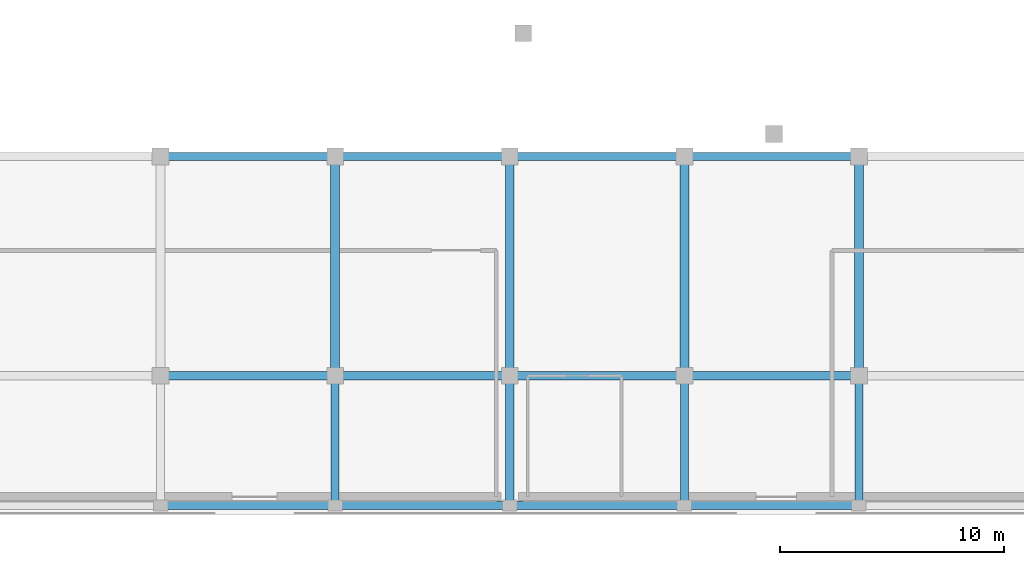
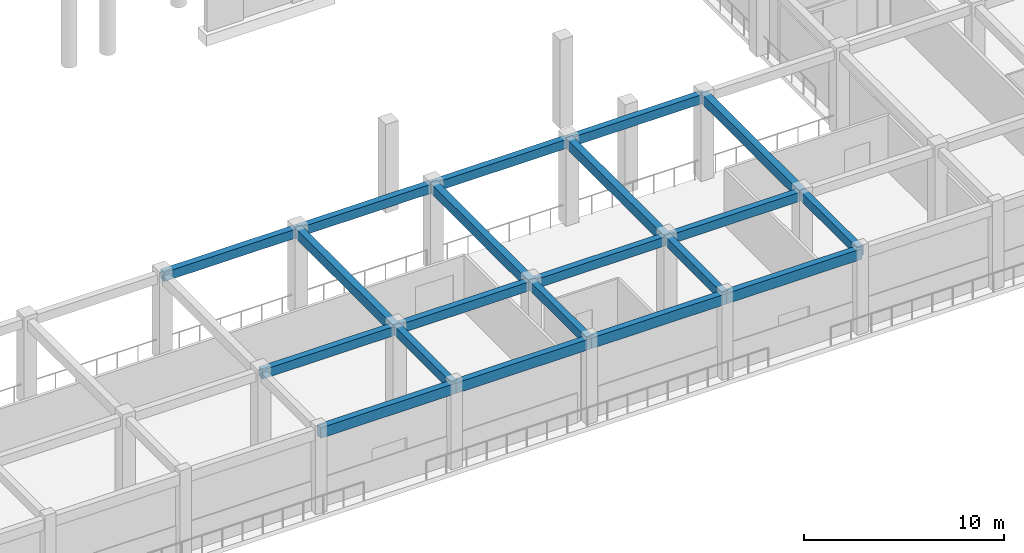
# One storey, part 23 of 96: 20 beams.
"""IFC4 building model written with IfcOpenShell, lengths in metres."""

import ifcopenshell
import ifcopenshell.guid

model = None  # the IFC model being written
_history = None  # IfcOwnerHistory: only IFC2X3 demands one
_inside = {}  # id of a spatial element -> (the spatial element, [elements in it])
_under = {}  # id of a project, library or spatial element -> (it, [spatial elements below it])
_declared = {}  # id of a project -> (the project, [libraries it declares])
_typed = {}  # id of a type object -> (the type object, [elements of that type])
_made_of = {}  # id of a material, layer set ... -> (it, [elements and type objects made of it])


def new_model(schema):
    """Start an empty IFC model of exactly this schema.

    Asked for "IFC4X3", IfcOpenShell would pick the latest addendum, in which some entities
    have other attributes; the version numbers below select the first issue.
    IFC2X3 requires an IfcOwnerHistory on every rooted entity: one is made here for all.
    """
    global model, _history
    if schema == "IFC4X3":
        model = ifcopenshell.file(schema_version=(4, 3, 0, 0))
    else:
        model = ifcopenshell.file(schema=schema)
    _inside.clear()
    _under.clear()
    _declared.clear()
    _typed.clear()
    _made_of.clear()
    _history = None
    if model.schema == "IFC2X3":
        org = make("IfcOrganization", Name="unknown")
        user = make(
            "IfcPersonAndOrganization",
            ThePerson=make("IfcPerson", FamilyName="unknown"),
            TheOrganization=org,
        )
        app = make(
            "IfcApplication",
            ApplicationDeveloper=org,
            Version="unknown",
            ApplicationFullName="unknown",
            ApplicationIdentifier="unknown",
        )
        _history = make(
            "IfcOwnerHistory",
            OwningUser=user,
            OwningApplication=app,
            ChangeAction="ADDED",
            CreationDate=0,
        )
    return model


def make(cls, **values):
    """One entity of the class cls with the attributes given. An attribute that is None is left unset."""
    return model.create_entity(
        cls, **{name: value for name, value in values.items() if value is not None}
    )


def rooted(cls, **values):
    """An entity with a GlobalId (a new one), such as an element, a storey or a relation."""
    return make(cls, GlobalId=ifcopenshell.guid.new(), OwnerHistory=_history, **values)


def si_unit(unit_type, name, prefix=None):
    """IfcSIUnit, for example si_unit("LENGTHUNIT", "METRE", prefix="MILLI")."""
    return make("IfcSIUnit", UnitType=unit_type, Prefix=prefix, Name=name)


def assignment(units):
    """IfcUnitAssignment: the units of a project."""
    return None if units is None else make("IfcUnitAssignment", Units=units)


def point(xyz):
    """IfcCartesianPoint."""
    return None if xyz is None else make("IfcCartesianPoint", Coordinates=xyz)


def direction(xyz):
    """IfcDirection."""
    return None if xyz is None else make("IfcDirection", DirectionRatios=xyz)


def frame(location, z_axis=None, x_axis=None):
    """IfcAxis2Placement3D, a coordinate frame: its origin and axes. An axis left out is left unset."""
    return make(
        "IfcAxis2Placement3D",
        Location=point(location),
        Axis=direction(z_axis),
        RefDirection=direction(x_axis),
    )


def frame_2d(location, x_axis=None):
    """IfcAxis2Placement2D, a coordinate frame in the plane: its origin and x axis."""
    return make(
        "IfcAxis2Placement2D", Location=point(location), RefDirection=direction(x_axis)
    )


def origin():
    """The frame at (0, 0, 0) with its axes left unset."""
    return frame((0.0, 0.0, 0.0))


def origin_2d():
    """The frame at (0, 0) in the plane with its x axis left unset."""
    return frame_2d((0.0, 0.0))


def place(relative_to, where):
    """IfcLocalPlacement: puts the frame where relative to a parent placement (None: the world)."""
    return make(
        "IfcLocalPlacement", PlacementRelTo=relative_to, RelativePlacement=where
    )


def context(
    kind, dimensions, precision=None, world=None, true_north=None, identifier=None
):
    """IfcGeometricRepresentationContext, for example the 3D "Model" context."""
    return make(
        "IfcGeometricRepresentationContext",
        ContextIdentifier=identifier,
        ContextType=kind,
        CoordinateSpaceDimension=dimensions,
        Precision=precision,
        WorldCoordinateSystem=world,
        TrueNorth=true_north,
    )


def subcontext(parent, identifier, kind, view, scale=None):
    """IfcGeometricRepresentationSubContext, for example "Body" below "Model"."""
    return make(
        "IfcGeometricRepresentationSubContext",
        ContextIdentifier=identifier,
        ContextType=kind,
        ParentContext=parent,
        TargetScale=scale,
        TargetView=view,
    )


def project(units=None, contexts=None):
    """IfcProject with its units and contexts."""
    return rooted(
        "IfcProject",
        Name="project",
        RepresentationContexts=contexts,
        UnitsInContext=assignment(units),
    )


def spatial(cls, under=None, at=None, **own):
    """A site, building, storey or space (cls), placed at a placement, below another one or the project."""
    s = rooted(cls, ObjectPlacement=at, **own)
    if under is not None:
        _under.setdefault(under.id(), (under, []))[1].append(s)
    return s


def profile(cls, at=None, kind="AREA", **sizes):
    """A parametric profile (cls). Its sizes go by their IFC names, for example OverallWidth=200.0."""
    return make(cls, ProfileType=kind, Position=at, **sizes)


def rectangle(**sizes):
    """IfcRectangleProfileDef."""
    return profile("IfcRectangleProfileDef", **sizes)


def extrude(swept, where, along, depth):
    """IfcExtrudedAreaSolid: the profile swept, set in the frame where, extruded along a direction by depth."""
    return make(
        "IfcExtrudedAreaSolid",
        SweptArea=swept,
        Position=where,
        ExtrudedDirection=direction(along),
        Depth=depth,
    )


def shape(context_of_items, identifier, shape_type, items):
    """IfcShapeRepresentation: the items that make up one representation, for example the "Body"."""
    return make(
        "IfcShapeRepresentation",
        ContextOfItems=context_of_items,
        RepresentationIdentifier=identifier,
        RepresentationType=shape_type,
        Items=items,
    )


def material(Name=None, Category=None):
    """IfcMaterial."""
    return make("IfcMaterial", Name=Name, Category=Category)


def material_profile(
    of_material, cross_section, Name=None, Category=None, Priority=None
):
    """IfcMaterialProfile: a cross section and its material."""
    return make(
        "IfcMaterialProfile",
        Name=Name,
        Material=of_material,
        Profile=cross_section,
        Priority=Priority,
        Category=Category,
    )


def profile_set(profiles, Name=None, composite=None):
    """IfcMaterialProfileSet."""
    return make(
        "IfcMaterialProfileSet",
        Name=Name,
        MaterialProfiles=profiles,
        CompositeProfile=composite,
    )


def made_of(thing, what):
    """Note that an element or type object is made of a material, layer set ...; save() writes the relation."""
    if what is not None:
        _made_of.setdefault(what.id(), (what, []))[1].append(thing)
    return thing


def type_object(cls, material=None, **own):
    """A type object (cls), such as IfcWallType, which elements share."""
    return made_of(rooted(cls, **own), material)


def element(
    cls,
    number,
    at=None,
    inside=None,
    cuts=None,
    type_object=None,
    material=None,
    context=None,
    identifier="Body",
    shape_type=None,
    held_by="IfcProductDefinitionShape",
    body=None,
    shapes=None,
    **own,
):
    """One element of the class cls, such as IfcWall. Its Tag is "e" and its number.

    at: its placement. inside: the storey or other place that contains it. cuts: it is an
    opening in that element (IfcRelVoidsElement). A single representation is given by context,
    identifier, shape_type and body (its items); several are given by shapes. held_by: the class
    of the entity that holds the representations. save() writes the other relations.
    """
    e = rooted(cls, Tag="e%d" % number, ObjectPlacement=at, **own)
    if body is not None:
        shapes = [shape(context, identifier, shape_type, body)]
    if shapes is not None:
        e.Representation = make(held_by, Representations=shapes)
    if inside is not None:
        _inside.setdefault(inside.id(), (inside, []))[1].append(e)
    if cuts is not None:
        rooted(
            "IfcRelVoidsElement", RelatingBuildingElement=cuts, RelatedOpeningElement=e
        )
    if type_object is not None:
        _typed.setdefault(type_object.id(), (type_object, []))[1].append(e)
    return made_of(e, material)


def aggregate(whole, parts):
    """IfcRelAggregates: a whole, such as a stair, and the parts it consists of."""
    return rooted("IfcRelAggregates", RelatingObject=whole, RelatedObjects=parts)


def save(model, path):
    """Write the relations noted so far, then the file.

    IfcRelAggregates (storeys below a building ...), IfcRelContainedInSpatialStructure (elements
    in a storey), IfcRelDefinesByType, IfcRelAssociatesMaterial and IfcRelDeclares: one each for
    every whole, place, type object, material and project.
    """
    for whole, parts in _under.values():
        aggregate(whole, parts)
    for where, things in _inside.values():
        rooted(
            "IfcRelContainedInSpatialStructure",
            RelatedElements=things,
            RelatingStructure=where,
        )
    for kind, things in _typed.values():
        rooted("IfcRelDefinesByType", RelatedObjects=things, RelatingType=kind)
    for what, things in _made_of.values():
        rooted("IfcRelAssociatesMaterial", RelatedObjects=things, RelatingMaterial=what)
    for by, libraries in _declared.values():
        rooted("IfcRelDeclares", RelatingContext=by, RelatedDefinitions=libraries)
    model.write(path)


model = new_model("IFC4")

# Units and contexts
model_context = context("Model", 3, precision=1e-05, world=origin(), true_north=direction((0.0, 1.0)))
body_context = subcontext(model_context, "Body", "Model", "MODEL_VIEW")
ifc_project = project(units=[si_unit("LENGTHUNIT", "METRE"), si_unit("AREAUNIT", "SQUARE_METRE"), si_unit("VOLUMEUNIT", "CUBIC_METRE"), si_unit("PLANEANGLEUNIT", "RADIAN"), si_unit("MASSUNIT", "GRAM", prefix="KILO")], contexts=[model_context])

# Site, building, storey
site_placement = place(None, origin())
site = spatial("IfcSite", under=ifc_project, at=site_placement, CompositionType="ELEMENT")
building_placement = place(site_placement, origin())
building = spatial("IfcBuilding", under=site, at=building_placement, Name="Pelvatis Terrace Science Centre", CompositionType="ELEMENT")
storey_placement = place(building_placement, origin())
storey = spatial("IfcBuildingStorey", under=building, at=storey_placement, Name="L00", CompositionType="ELEMENT", Elevation=0.0)

# Beams
ifc_material_1 = material(Name="Concrete C35/45", Category="concrete")
ifc_material_profile_1 = material_profile(ifc_material_1, rectangle(XDim=0.360107421875, YDim=0.550048828125, at=origin_2d()), Name="RC-BM 360x550")
ifc_profile_set_1 = profile_set([ifc_material_profile_1], Name="Concrete C35/45")
beam_type_1 = type_object("IfcBeamType", Name="BM-RC-360x550", PredefinedType="BEAM", material=ifc_profile_set_1)
for number, where, z_axis, x_axis, name in (
    (1, (93.60009765625, 6.199951171875, 4.864990234375), (1.0, 0.0, 0.0), (0.0, 1.0, 0.0), "Beam BM-L00-2417"),
    (2, (93.60009765625, 16.0, 4.864990234375), (1.0, 0.0, 0.0), (0.0, 1.0, 0.0), "Beam BM-L00-2418"),
):
    element("IfcBeam", number, at=place(storey_placement, frame(where, z_axis=z_axis, x_axis=x_axis)), inside=storey, type_object=beam_type_1, Name=name, PredefinedType="BEAM", context=body_context, shape_type="SweptSolid", body=[
        extrude(rectangle(XDim=0.360107421875, YDim=0.550048828125, at=origin_2d()), origin(), (0.0, 0.0, 1.0), 7.7998046875),
    ])
beam_1_placement = place(storey_placement, frame((101.39990234375, 0.39990234375, 4.864990234375), z_axis=(0.0, 1.0, 0.0), x_axis=(-1.0, 0.0, 0.0)))
element("IfcBeam", 3, at=beam_1_placement, inside=storey, type_object=beam_type_1, Name="Beam BM-L00-2419", PredefinedType="BEAM", context=body_context, shape_type="SweptSolid", body=[
    extrude(rectangle(XDim=0.360107421875, YDim=0.550048828125, at=origin_2d()), origin(), (0.0, 0.0, 1.0), 5.800048828125),
])
for number, where, z_axis, x_axis, name in (
    (4, (101.39990234375, 6.199951171875, 4.864990234375), (1.0, 0.0, 0.0), (0.0, 1.0, 0.0), "Beam BM-L00-2422"),
    (5, (101.39990234375, 16.0, 4.864990234375), (1.0, 0.0, 0.0), (0.0, 1.0, 0.0), "Beam BM-L00-2423"),
):
    element("IfcBeam", number, at=place(storey_placement, frame(where, z_axis=z_axis, x_axis=x_axis)), inside=storey, type_object=beam_type_1, Name=name, PredefinedType="BEAM", context=body_context, shape_type="SweptSolid", body=[
        extrude(rectangle(XDim=0.360107421875, YDim=0.550048828125, at=origin_2d()), origin(), (0.0, 0.0, 1.0), 7.800048828125),
    ])
beam_2_placement = place(storey_placement, frame((109.199951171875, 0.39990234375, 4.864990234375), z_axis=(0.0, 1.0, 0.0), x_axis=(-1.0, 0.0, 0.0)))
element("IfcBeam", 6, at=beam_2_placement, inside=storey, type_object=beam_type_1, Name="Beam BM-L00-2424", PredefinedType="BEAM", context=body_context, shape_type="SweptSolid", body=[
    extrude(rectangle(XDim=0.360107421875, YDim=0.550048828125, at=origin_2d()), origin(), (0.0, 0.0, 1.0), 5.800048828125),
])
for number, where, z_axis, x_axis, name in (
    (7, (109.199951171875, 6.199951171875, 4.864990234375), (1.0, 0.0, 0.0), (0.0, 1.0, 0.0), "Beam BM-L00-2427"),
    (8, (109.199951171875, 16.0, 4.864990234375), (1.0, 0.0, 0.0), (0.0, 1.0, 0.0), "Beam BM-L00-2428"),
):
    element("IfcBeam", number, at=place(storey_placement, frame(where, z_axis=z_axis, x_axis=x_axis)), inside=storey, type_object=beam_type_1, Name=name, PredefinedType="BEAM", context=body_context, shape_type="SweptSolid", body=[
        extrude(rectangle(XDim=0.360107421875, YDim=0.550048828125, at=origin_2d()), origin(), (0.0, 0.0, 1.0), 7.800048828125),
    ])
beam_3_placement = place(storey_placement, frame((117.0, 0.39990234375, 4.864990234375), z_axis=(0.0, 1.0, 0.0), x_axis=(-1.0, 0.0, 0.0)))
element("IfcBeam", 9, at=beam_3_placement, inside=storey, type_object=beam_type_1, Name="Beam BM-L00-2429", PredefinedType="BEAM", context=body_context, shape_type="SweptSolid", body=[
    extrude(rectangle(XDim=0.360107421875, YDim=0.550048828125, at=origin_2d()), origin(), (0.0, 0.0, 1.0), 5.800048828125),
])
for number, where, z_axis, x_axis, name in (
    (10, (117.0, 6.199951171875, 4.864990234375), (1.0, 0.0, 0.0), (0.0, 1.0, 0.0), "Beam BM-L00-2432"),
    (11, (117.0, 16.0, 4.864990234375), (1.0, 0.0, 0.0), (0.0, 1.0, 0.0), "Beam BM-L00-2433"),
):
    element("IfcBeam", number, at=place(storey_placement, frame(where, z_axis=z_axis, x_axis=x_axis)), inside=storey, type_object=beam_type_1, Name=name, PredefinedType="BEAM", context=body_context, shape_type="SweptSolid", body=[
        extrude(rectangle(XDim=0.360107421875, YDim=0.550048828125, at=origin_2d()), origin(), (0.0, 0.0, 1.0), 7.800048828125),
    ])
beam_4_placement = place(storey_placement, frame((124.800048828125, 0.39990234375, 4.864990234375), z_axis=(0.0, 1.0, 0.0), x_axis=(-1.0, 0.0, 0.0)))
element("IfcBeam", 12, at=beam_4_placement, inside=storey, type_object=beam_type_1, Name="Beam BM-L00-2434", PredefinedType="BEAM", context=body_context, shape_type="SweptSolid", body=[
    extrude(rectangle(XDim=0.360107421875, YDim=0.550048828125, at=origin_2d()), origin(), (0.0, 0.0, 1.0), 5.800048828125),
])
ifc_material_2 = material(Name="Concrete C35/45", Category="concrete")
ifc_material_profile_2 = material_profile(ifc_material_2, rectangle(XDim=0.39990234375, YDim=0.60009765625, at=origin_2d()), Name="RC-BM 400x600")
ifc_profile_set_2 = profile_set([ifc_material_profile_2], Name="Concrete C35/45")
beam_type_2 = type_object("IfcBeamType", Name="BM-RC-400x600", PredefinedType="BEAM", material=ifc_profile_set_2)
for number, where, z_axis, x_axis, name in (
    (13, (101.39990234375, 6.199951171875, 4.840087890625), (0.0, 1.0, 0.0), (-1.0, 0.0, 0.0), "Beam BM-L00-2421"),
    (14, (109.199951171875, 6.199951171875, 4.840087890625), (0.0, 1.0, 0.0), (-1.0, 0.0, 0.0), "Beam BM-L00-2426"),
    (15, (117.0, 6.199951171875, 4.840087890625), (0.0, 1.0, 0.0), (-1.0, 0.0, 0.0), "Beam BM-L00-2431"),
    (16, (124.800048828125, 6.199951171875, 4.840087890625), (0.0, 1.0, 0.0), (-1.0, 0.0, 0.0), "Beam BM-L00-2436"),
):
    element("IfcBeam", number, at=place(storey_placement, frame(where, z_axis=z_axis, x_axis=x_axis)), inside=storey, type_object=beam_type_2, Name=name, PredefinedType="BEAM", context=body_context, shape_type="SweptSolid", body=[
        extrude(rectangle(XDim=0.39990234375, YDim=0.60009765625, at=origin_2d()), origin(), (0.0, 0.0, 1.0), 9.800048828125),
    ])
ifc_material_3 = material(Name="Concrete C35/45", Category="concrete")
ifc_material_profile_3 = material_profile(ifc_material_3, rectangle(XDim=0.360107421875, YDim=0.639892578125, at=origin_2d()), Name="RC-SPN 360x640")
ifc_profile_set_3 = profile_set([ifc_material_profile_3], Name="Concrete C35/45")
beam_type_3 = type_object("IfcBeamType", Name="SPN-RC-360x640", PredefinedType="SPANDREL", material=ifc_profile_set_3)
beam_5_placement = place(storey_placement, frame((93.60009765625, 0.39990234375, 4.820068359375), z_axis=(1.0, 0.0, 0.0), x_axis=(0.0, 1.0, 0.0)))
element("IfcBeam", 17, at=beam_5_placement, inside=storey, type_object=beam_type_3, Name="Spandrel SP-L00-2415", PredefinedType="SPANDREL", context=body_context, shape_type="SweptSolid", body=[
    extrude(rectangle(XDim=0.360107421875, YDim=0.639892578125, at=origin_2d()), origin(), (0.0, 0.0, 1.0), 7.7998046875),
])
for number, where, z_axis, x_axis, name in (
    (18, (101.39990234375, 0.39990234375, 4.820068359375), (1.0, 0.0, 0.0), (0.0, 1.0, 0.0), "Spandrel SP-L00-2420"),
    (19, (109.199951171875, 0.39990234375, 4.820068359375), (1.0, 0.0, 0.0), (0.0, 1.0, 0.0), "Spandrel SP-L00-2425"),
    (20, (117.0, 0.39990234375, 4.820068359375), (1.0, 0.0, 0.0), (0.0, 1.0, 0.0), "Spandrel SP-L00-2430"),
):
    element("IfcBeam", number, at=place(storey_placement, frame(where, z_axis=z_axis, x_axis=x_axis)), inside=storey, type_object=beam_type_3, Name=name, PredefinedType="SPANDREL", context=body_context, shape_type="SweptSolid", body=[
        extrude(rectangle(XDim=0.360107421875, YDim=0.639892578125, at=origin_2d()), origin(), (0.0, 0.0, 1.0), 7.800048828125),
    ])

save(model, "model.ifc")
